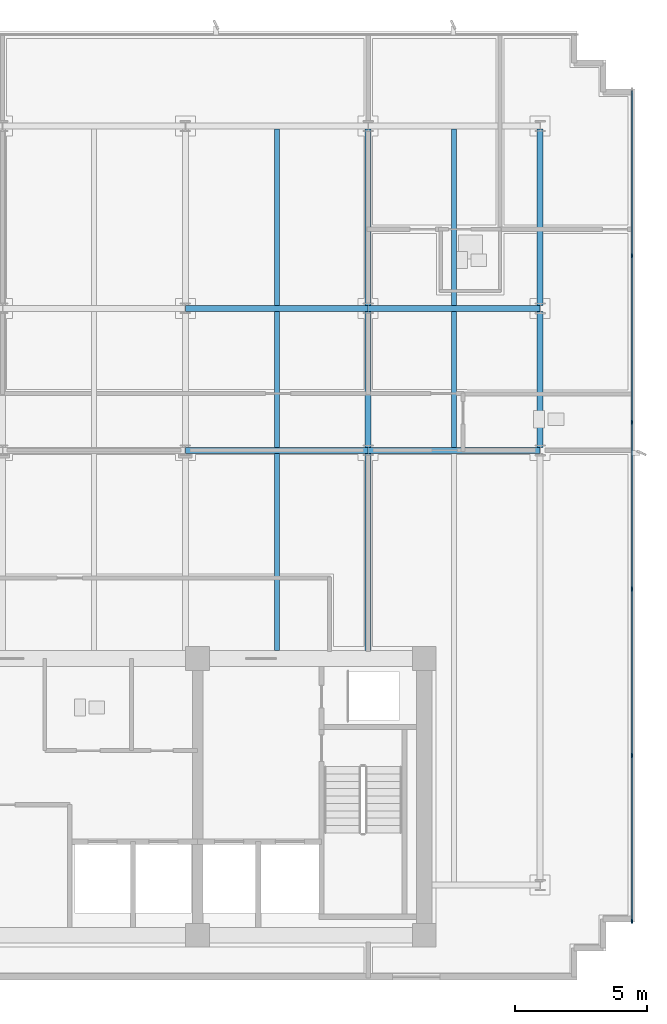
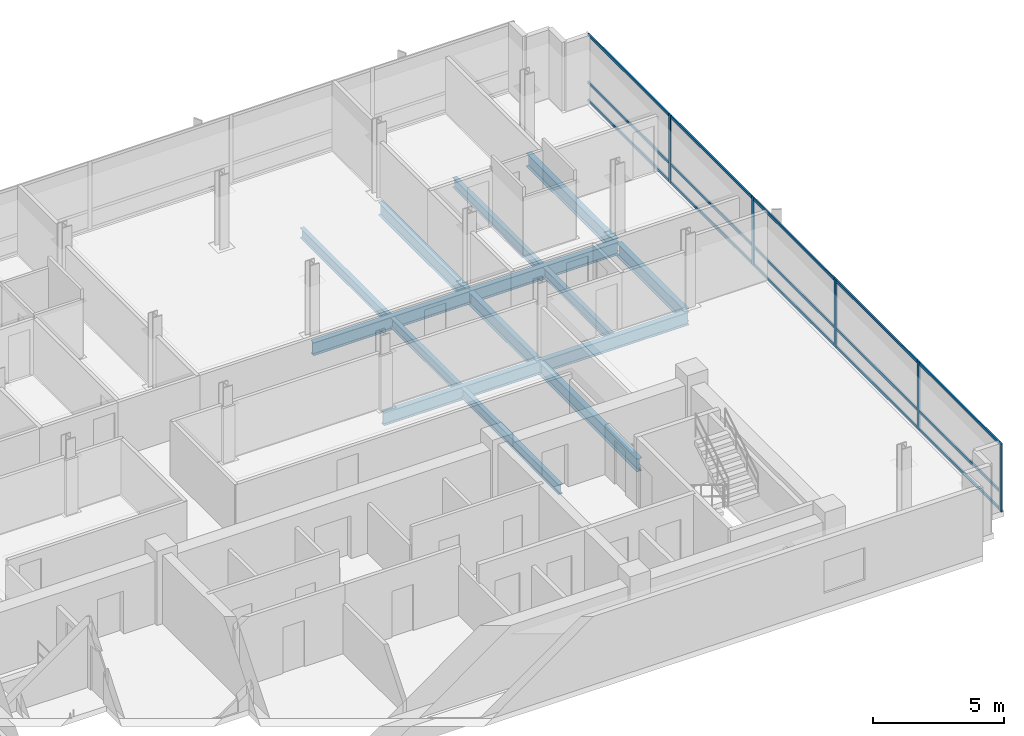
# One storey, part 6 of 18: 20 members, 14 beams, 1 element without a shape of its own.
"""IFC4 building model written with IfcOpenShell, lengths in metres."""

import ifcopenshell
import ifcopenshell.guid

model = None  # the IFC model being written
_history = None  # IfcOwnerHistory: only IFC2X3 demands one
_inside = {}  # id of a spatial element -> (the spatial element, [elements in it])
_under = {}  # id of a project, library or spatial element -> (it, [spatial elements below it])
_declared = {}  # id of a project -> (the project, [libraries it declares])
_typed = {}  # id of a type object -> (the type object, [elements of that type])
_made_of = {}  # id of a material, layer set ... -> (it, [elements and type objects made of it])


def new_model(schema):
    """Start an empty IFC model of exactly this schema.

    Asked for "IFC4X3", IfcOpenShell would pick the latest addendum, in which some entities
    have other attributes; the version numbers below select the first issue.
    IFC2X3 requires an IfcOwnerHistory on every rooted entity: one is made here for all.
    """
    global model, _history
    if schema == "IFC4X3":
        model = ifcopenshell.file(schema_version=(4, 3, 0, 0))
    else:
        model = ifcopenshell.file(schema=schema)
    _inside.clear()
    _under.clear()
    _declared.clear()
    _typed.clear()
    _made_of.clear()
    _history = None
    if model.schema == "IFC2X3":
        org = make("IfcOrganization", Name="unknown")
        user = make(
            "IfcPersonAndOrganization",
            ThePerson=make("IfcPerson", FamilyName="unknown"),
            TheOrganization=org,
        )
        app = make(
            "IfcApplication",
            ApplicationDeveloper=org,
            Version="unknown",
            ApplicationFullName="unknown",
            ApplicationIdentifier="unknown",
        )
        _history = make(
            "IfcOwnerHistory",
            OwningUser=user,
            OwningApplication=app,
            ChangeAction="ADDED",
            CreationDate=0,
        )
    return model


def make(cls, **values):
    """One entity of the class cls with the attributes given. An attribute that is None is left unset."""
    return model.create_entity(
        cls, **{name: value for name, value in values.items() if value is not None}
    )


def rooted(cls, **values):
    """An entity with a GlobalId (a new one), such as an element, a storey or a relation."""
    return make(cls, GlobalId=ifcopenshell.guid.new(), OwnerHistory=_history, **values)


def si_unit(unit_type, name, prefix=None):
    """IfcSIUnit, for example si_unit("LENGTHUNIT", "METRE", prefix="MILLI")."""
    return make("IfcSIUnit", UnitType=unit_type, Prefix=prefix, Name=name)


def assignment(units):
    """IfcUnitAssignment: the units of a project."""
    return None if units is None else make("IfcUnitAssignment", Units=units)


def point(xyz):
    """IfcCartesianPoint."""
    return None if xyz is None else make("IfcCartesianPoint", Coordinates=xyz)


def direction(xyz):
    """IfcDirection."""
    return None if xyz is None else make("IfcDirection", DirectionRatios=xyz)


def frame(location, z_axis=None, x_axis=None):
    """IfcAxis2Placement3D, a coordinate frame: its origin and axes. An axis left out is left unset."""
    return make(
        "IfcAxis2Placement3D",
        Location=point(location),
        Axis=direction(z_axis),
        RefDirection=direction(x_axis),
    )


def frame_2d(location, x_axis=None):
    """IfcAxis2Placement2D, a coordinate frame in the plane: its origin and x axis."""
    return make(
        "IfcAxis2Placement2D", Location=point(location), RefDirection=direction(x_axis)
    )


def origin():
    """The frame at (0, 0, 0) with its axes left unset."""
    return frame((0.0, 0.0, 0.0))


def origin_2d():
    """The frame at (0, 0) in the plane with its x axis left unset."""
    return frame_2d((0.0, 0.0))


def place(relative_to, where):
    """IfcLocalPlacement: puts the frame where relative to a parent placement (None: the world)."""
    return make(
        "IfcLocalPlacement", PlacementRelTo=relative_to, RelativePlacement=where
    )


def context(
    kind, dimensions, precision=None, world=None, true_north=None, identifier=None
):
    """IfcGeometricRepresentationContext, for example the 3D "Model" context."""
    return make(
        "IfcGeometricRepresentationContext",
        ContextIdentifier=identifier,
        ContextType=kind,
        CoordinateSpaceDimension=dimensions,
        Precision=precision,
        WorldCoordinateSystem=world,
        TrueNorth=true_north,
    )


def subcontext(parent, identifier, kind, view, scale=None):
    """IfcGeometricRepresentationSubContext, for example "Body" below "Model"."""
    return make(
        "IfcGeometricRepresentationSubContext",
        ContextIdentifier=identifier,
        ContextType=kind,
        ParentContext=parent,
        TargetScale=scale,
        TargetView=view,
    )


def project(units=None, contexts=None):
    """IfcProject with its units and contexts."""
    return rooted(
        "IfcProject",
        Name="project",
        RepresentationContexts=contexts,
        UnitsInContext=assignment(units),
    )


def spatial(cls, under=None, at=None, **own):
    """A site, building, storey or space (cls), placed at a placement, below another one or the project."""
    s = rooted(cls, ObjectPlacement=at, **own)
    if under is not None:
        _under.setdefault(under.id(), (under, []))[1].append(s)
    return s


def profile(cls, at=None, kind="AREA", **sizes):
    """A parametric profile (cls). Its sizes go by their IFC names, for example OverallWidth=200.0."""
    return make(cls, ProfileType=kind, Position=at, **sizes)


def rectangle(**sizes):
    """IfcRectangleProfileDef."""
    return profile("IfcRectangleProfileDef", **sizes)


def i_section(**sizes):
    """IfcIShapeProfileDef."""
    return profile("IfcIShapeProfileDef", **sizes)


def extrude(swept, where, along, depth):
    """IfcExtrudedAreaSolid: the profile swept, set in the frame where, extruded along a direction by depth."""
    return make(
        "IfcExtrudedAreaSolid",
        SweptArea=swept,
        Position=where,
        ExtrudedDirection=direction(along),
        Depth=depth,
    )


def shape(context_of_items, identifier, shape_type, items):
    """IfcShapeRepresentation: the items that make up one representation, for example the "Body"."""
    return make(
        "IfcShapeRepresentation",
        ContextOfItems=context_of_items,
        RepresentationIdentifier=identifier,
        RepresentationType=shape_type,
        Items=items,
    )


def material(Name=None, Category=None):
    """IfcMaterial."""
    return make("IfcMaterial", Name=Name, Category=Category)


def material_profile(
    of_material, cross_section, Name=None, Category=None, Priority=None
):
    """IfcMaterialProfile: a cross section and its material."""
    return make(
        "IfcMaterialProfile",
        Name=Name,
        Material=of_material,
        Profile=cross_section,
        Priority=Priority,
        Category=Category,
    )


def profile_set(profiles, Name=None, composite=None):
    """IfcMaterialProfileSet."""
    return make(
        "IfcMaterialProfileSet",
        Name=Name,
        MaterialProfiles=profiles,
        CompositeProfile=composite,
    )


def made_of(thing, what):
    """Note that an element or type object is made of a material, layer set ...; save() writes the relation."""
    if what is not None:
        _made_of.setdefault(what.id(), (what, []))[1].append(thing)
    return thing


def type_object(cls, material=None, **own):
    """A type object (cls), such as IfcWallType, which elements share."""
    return made_of(rooted(cls, **own), material)


def element(
    cls,
    number,
    at=None,
    inside=None,
    cuts=None,
    type_object=None,
    material=None,
    context=None,
    identifier="Body",
    shape_type=None,
    held_by="IfcProductDefinitionShape",
    body=None,
    shapes=None,
    **own,
):
    """One element of the class cls, such as IfcWall. Its Tag is "e" and its number.

    at: its placement. inside: the storey or other place that contains it. cuts: it is an
    opening in that element (IfcRelVoidsElement). A single representation is given by context,
    identifier, shape_type and body (its items); several are given by shapes. held_by: the class
    of the entity that holds the representations. save() writes the other relations.
    """
    e = rooted(cls, Tag="e%d" % number, ObjectPlacement=at, **own)
    if body is not None:
        shapes = [shape(context, identifier, shape_type, body)]
    if shapes is not None:
        e.Representation = make(held_by, Representations=shapes)
    if inside is not None:
        _inside.setdefault(inside.id(), (inside, []))[1].append(e)
    if cuts is not None:
        rooted(
            "IfcRelVoidsElement", RelatingBuildingElement=cuts, RelatedOpeningElement=e
        )
    if type_object is not None:
        _typed.setdefault(type_object.id(), (type_object, []))[1].append(e)
    return made_of(e, material)


def aggregate(whole, parts):
    """IfcRelAggregates: a whole, such as a stair, and the parts it consists of."""
    return rooted("IfcRelAggregates", RelatingObject=whole, RelatedObjects=parts)


def save(model, path):
    """Write the relations noted so far, then the file.

    IfcRelAggregates (storeys below a building ...), IfcRelContainedInSpatialStructure (elements
    in a storey), IfcRelDefinesByType, IfcRelAssociatesMaterial and IfcRelDeclares: one each for
    every whole, place, type object, material and project.
    """
    for whole, parts in _under.values():
        aggregate(whole, parts)
    for where, things in _inside.values():
        rooted(
            "IfcRelContainedInSpatialStructure",
            RelatedElements=things,
            RelatingStructure=where,
        )
    for kind, things in _typed.values():
        rooted("IfcRelDefinesByType", RelatedObjects=things, RelatingType=kind)
    for what, things in _made_of.values():
        rooted("IfcRelAssociatesMaterial", RelatedObjects=things, RelatingMaterial=what)
    for by, libraries in _declared.values():
        rooted("IfcRelDeclares", RelatingContext=by, RelatedDefinitions=libraries)
    model.write(path)


model = new_model("IFC4")

# Units and contexts
model_context = context("Model", 3, precision=1e-05, world=origin(), true_north=direction((0.0, 1.0)))
body_context = subcontext(model_context, "Body", "Model", "MODEL_VIEW")
ifc_project = project(units=[si_unit("LENGTHUNIT", "METRE"), si_unit("AREAUNIT", "SQUARE_METRE"), si_unit("VOLUMEUNIT", "CUBIC_METRE"), si_unit("PLANEANGLEUNIT", "RADIAN"), si_unit("MASSUNIT", "GRAM", prefix="KILO")], contexts=[model_context])

# Site, building, storey
site_placement = place(None, origin())
site = spatial("IfcSite", under=ifc_project, at=site_placement, CompositionType="ELEMENT")
building_placement = place(site_placement, origin())
building = spatial("IfcBuilding", under=site, at=building_placement, Name="Solmavex Isthmus Hotel", CompositionType="ELEMENT")
storey_placement = place(building_placement, frame((0.0, 0.0, 283.35009765625)))
storey = spatial("IfcBuildingStorey", under=building, at=storey_placement, Name="L77", CompositionType="ELEMENT", Elevation=283.35009765625)

# Beams
ifc_material_1 = material(Name="Steel ASTM A992 Grade 50", Category="steel")
ifc_material_profile_1 = material_profile(ifc_material_1, i_section(OverallWidth=0.1904296875, OverallDepth=0.456787109375, WebThickness=0.009033203125, FlangeThickness=0.014404296875, FilletRadius=0.0126953125, at=origin_2d()), Name="W18X50")
ifc_profile_set_1 = profile_set([ifc_material_profile_1], Name="Steel ASTM A992 Grade 50")
beam_type_1 = type_object("IfcBeamType", Name="BM-BJ-W18X50", PredefinedType="JOIST", material=ifc_profile_set_1)
beam_1_placement = place(storey_placement, frame((10.404052734375, -2.199951171875, -0.488525390625), z_axis=(0.0, 1.0, 0.0), x_axis=(-1.0, 0.0, 0.0)))
element("IfcBeam", 1, at=beam_1_placement, inside=storey, type_object=beam_type_1, Name="Secondary Floor Joist L77-J13", PredefinedType="JOIST", context=body_context, shape_type="SweptSolid", body=[
    extrude(i_section(OverallWidth=0.1904296875, OverallDepth=0.456787109375, WebThickness=0.009033203125, FlangeThickness=0.014404296875, FilletRadius=0.0126953125, at=origin_2d()), origin(), (0.0, 0.0, 1.0), 7.486083984375),
])
beam_2_placement = place(storey_placement, frame((10.404052734375, 5.513916015625, -0.488525390625), z_axis=(0.0, 1.0, 0.0), x_axis=(-1.0, 0.0, 0.0)))
element("IfcBeam", 2, at=beam_2_placement, inside=storey, type_object=beam_type_1, Name="Secondary Floor Joist L77-J14", PredefinedType="JOIST", context=body_context, shape_type="SweptSolid", body=[
    extrude(i_section(OverallWidth=0.1904296875, OverallDepth=0.456787109375, WebThickness=0.009033203125, FlangeThickness=0.014404296875, FilletRadius=0.0126953125, at=origin_2d()), origin(), (0.0, 0.0, 1.0), 5.16015625),
])
beam_3_placement = place(storey_placement, frame((10.404052734375, 10.90185546875, -0.488525390625), z_axis=(0.0, 1.0, 0.0), x_axis=(-1.0, 0.0, 0.0)))
element("IfcBeam", 3, at=beam_3_placement, inside=storey, type_object=beam_type_1, Name="Secondary Floor Joist L77-J15", PredefinedType="JOIST", context=body_context, shape_type="SweptSolid", body=[
    extrude(i_section(OverallWidth=0.1904296875, OverallDepth=0.456787109375, WebThickness=0.009033203125, FlangeThickness=0.014404296875, FilletRadius=0.0126953125, at=origin_2d()), origin(), (0.0, 0.0, 1.0), 6.682861328125),
])
beam_4_placement = place(storey_placement, frame((17.135986328125, 5.513916015625, -0.488525390625), z_axis=(0.0, 1.0, 0.0), x_axis=(-1.0, 0.0, 0.0)))
element("IfcBeam", 4, at=beam_4_placement, inside=storey, type_object=beam_type_1, Name="Secondary Floor Joist L77-J17", PredefinedType="JOIST", context=body_context, shape_type="SweptSolid", body=[
    extrude(i_section(OverallWidth=0.1904296875, OverallDepth=0.456787109375, WebThickness=0.009033203125, FlangeThickness=0.014404296875, FilletRadius=0.0126953125, at=origin_2d()), origin(), (0.0, 0.0, 1.0), 5.16015625),
])
beam_5_placement = place(storey_placement, frame((17.135986328125, 10.90185546875, -0.488525390625), z_axis=(0.0, 1.0, 0.0), x_axis=(-1.0, 0.0, 0.0)))
element("IfcBeam", 5, at=beam_5_placement, inside=storey, type_object=beam_type_1, Name="Secondary Floor Joist L77-J18", PredefinedType="JOIST", context=body_context, shape_type="SweptSolid", body=[
    extrude(i_section(OverallWidth=0.1904296875, OverallDepth=0.456787109375, WebThickness=0.009033203125, FlangeThickness=0.014404296875, FilletRadius=0.0126953125, at=origin_2d()), origin(), (0.0, 0.0, 1.0), 6.682861328125),
])
ifc_material_profile_2 = material_profile(ifc_material_1, i_section(OverallWidth=0.227783203125, OverallDepth=0.602783203125, WebThickness=0.010498046875, FlangeThickness=0.014892578125, FilletRadius=0.01513671875, at=origin_2d()), Name="W24X68")
ifc_profile_set_2 = profile_set([ifc_material_profile_2], Name="Steel ASTM A992 Grade 50")
beam_type_2 = type_object("IfcBeamType", Name="BM-BM-W24X68", PredefinedType="BEAM", material=ifc_profile_set_2)
beam_6_placement = place(storey_placement, frame((6.93603515625, 5.39990234375, -0.5615234375), z_axis=(1.0, 0.0, 0.0), x_axis=(0.0, 1.0, 0.0)))
element("IfcBeam", 6, at=beam_6_placement, inside=storey, type_object=beam_type_2, Name="Floor Girder L77-UG07", PredefinedType="BEAM", context=body_context, shape_type="SweptSolid", body=[
    extrude(i_section(OverallWidth=0.227783203125, OverallDepth=0.602783203125, WebThickness=0.010498046875, FlangeThickness=0.014892578125, FilletRadius=0.01513671875, at=origin_2d()), origin(), (0.0, 0.0, 1.0), 6.93603515625),
])
beam_7_placement = place(storey_placement, frame((13.8720703125, 5.39990234375, -0.5615234375), z_axis=(1.0, 0.0, 0.0), x_axis=(0.0, 1.0, 0.0)))
element("IfcBeam", 7, at=beam_7_placement, inside=storey, type_object=beam_type_2, Name="Floor Girder L77-UG08", PredefinedType="BEAM", context=body_context, shape_type="SweptSolid", body=[
    extrude(i_section(OverallWidth=0.227783203125, OverallDepth=0.602783203125, WebThickness=0.010498046875, FlangeThickness=0.014892578125, FilletRadius=0.01513671875, at=origin_2d()), origin(), (0.0, 0.0, 1.0), 6.52783203125),
])
beam_8_placement = place(storey_placement, frame((6.93603515625, 10.7880859375, -0.5615234375), z_axis=(1.0, 0.0, 0.0), x_axis=(0.0, 1.0, 0.0)))
element("IfcBeam", 8, at=beam_8_placement, inside=storey, type_object=beam_type_2, Name="Floor Girder L77-UG13", PredefinedType="BEAM", context=body_context, shape_type="SweptSolid", body=[
    extrude(i_section(OverallWidth=0.227783203125, OverallDepth=0.602783203125, WebThickness=0.010498046875, FlangeThickness=0.014892578125, FilletRadius=0.01513671875, at=origin_2d()), origin(), (0.0, 0.0, 1.0), 6.93603515625),
])
beam_9_placement = place(storey_placement, frame((13.8720703125, 10.7880859375, -0.5615234375), z_axis=(1.0, 0.0, 0.0), x_axis=(0.0, 1.0, 0.0)))
element("IfcBeam", 9, at=beam_9_placement, inside=storey, type_object=beam_type_2, Name="Floor Girder L77-UG14", PredefinedType="BEAM", context=body_context, shape_type="SweptSolid", body=[
    extrude(i_section(OverallWidth=0.227783203125, OverallDepth=0.602783203125, WebThickness=0.010498046875, FlangeThickness=0.014892578125, FilletRadius=0.01513671875, at=origin_2d()), origin(), (0.0, 0.0, 1.0), 6.52783203125),
])
beam_10_placement = place(storey_placement, frame((13.8720703125, -2.199951171875, -0.5615234375), z_axis=(0.0, 1.0, 0.0), x_axis=(-1.0, 0.0, 0.0)))
element("IfcBeam", 10, at=beam_10_placement, inside=storey, type_object=beam_type_2, Name="Floor Beam L77-VG36", PredefinedType="BEAM", context=body_context, shape_type="SweptSolid", body=[
    extrude(i_section(OverallWidth=0.227783203125, OverallDepth=0.602783203125, WebThickness=0.010498046875, FlangeThickness=0.014892578125, FilletRadius=0.01513671875, at=origin_2d()), origin(), (0.0, 0.0, 1.0), 7.486083984375),
])
beam_11_placement = place(storey_placement, frame((13.8720703125, 5.513916015625, -0.5615234375), z_axis=(0.0, 1.0, 0.0), x_axis=(-1.0, 0.0, 0.0)))
element("IfcBeam", 11, at=beam_11_placement, inside=storey, type_object=beam_type_2, Name="Floor Beam L77-VG37", PredefinedType="BEAM", context=body_context, shape_type="SweptSolid", body=[
    extrude(i_section(OverallWidth=0.227783203125, OverallDepth=0.602783203125, WebThickness=0.010498046875, FlangeThickness=0.014892578125, FilletRadius=0.01513671875, at=origin_2d()), origin(), (0.0, 0.0, 1.0), 5.16015625),
])
beam_12_placement = place(storey_placement, frame((13.8720703125, 10.90185546875, -0.5615234375), z_axis=(0.0, 1.0, 0.0), x_axis=(-1.0, 0.0, 0.0)))
element("IfcBeam", 12, at=beam_12_placement, inside=storey, type_object=beam_type_2, Name="Floor Beam L77-VG38", PredefinedType="BEAM", context=body_context, shape_type="SweptSolid", body=[
    extrude(i_section(OverallWidth=0.227783203125, OverallDepth=0.602783203125, WebThickness=0.010498046875, FlangeThickness=0.014892578125, FilletRadius=0.01513671875, at=origin_2d()), origin(), (0.0, 0.0, 1.0), 6.682861328125),
])
ifc_material_profile_3 = material_profile(ifc_material_1, i_section(OverallWidth=0.230224609375, OverallDepth=0.617431640625, WebThickness=0.01318359375, FlangeThickness=0.022216796875, FilletRadius=0.01513671875, at=origin_2d()), Name="W24X94")
ifc_profile_set_3 = profile_set([ifc_material_profile_3], Name="Steel ASTM A992 Grade 50")
beam_type_3 = type_object("IfcBeamType", Name="BM-SP-W24X94", PredefinedType="SPANDREL", material=ifc_profile_set_3)
beam_13_placement = place(storey_placement, frame((20.39990234375, 5.513916015625, -0.56884765625), z_axis=(0.0, 1.0, 0.0), x_axis=(-1.0, 0.0, 0.0)))
element("IfcBeam", 13, at=beam_13_placement, inside=storey, type_object=beam_type_3, Name="Floor Beam L77-VG40", PredefinedType="SPANDREL", context=body_context, shape_type="SweptSolid", body=[
    extrude(i_section(OverallWidth=0.230224609375, OverallDepth=0.617431640625, WebThickness=0.01318359375, FlangeThickness=0.022216796875, FilletRadius=0.01513671875, at=origin_2d()), origin(), (0.0, 0.0, 1.0), 5.16015625),
])
beam_14_placement = place(storey_placement, frame((20.39990234375, 10.90185546875, -0.56884765625), z_axis=(0.0, 1.0, 0.0), x_axis=(-1.0, 0.0, 0.0)))
element("IfcBeam", 14, at=beam_14_placement, inside=storey, type_object=beam_type_3, Name="Floor Beam L77-VG41", PredefinedType="SPANDREL", context=body_context, shape_type="SweptSolid", body=[
    extrude(i_section(OverallWidth=0.230224609375, OverallDepth=0.617431640625, WebThickness=0.01318359375, FlangeThickness=0.022216796875, FilletRadius=0.01513671875, at=origin_2d()), origin(), (0.0, 0.0, 1.0), 6.682861328125),
])

# Curtain wall, members
ifc_material_2 = material(Name="Aluminium alloy 6063-T6", Category="aluminium")
curtain_wall_type = type_object("IfcCurtainWallType", Name="CW-SYS-05", PredefinedType="NOTDEFINED", material=ifc_material_2)
curtain_wall_placement = place(storey_placement, origin())
curtain_wall = element("IfcCurtainWall", 15, at=curtain_wall_placement, inside=storey, type_object=curtain_wall_type, Name="Stick Curtain Wall CWL-L77-E1", PredefinedType="NOTDEFINED")
ifc_material_profile_4 = material_profile(ifc_material_2, rectangle(XDim=0.06494140625, YDim=0.159912109375, at=origin_2d()), Name="CWM-65X160")
ifc_profile_set_4 = profile_set([ifc_material_profile_4], Name="Aluminium alloy 6063-T6")
member_type_1 = type_object("IfcMemberType", Name="CW-SYS-05-MUL", PredefinedType="MULLION", material=ifc_profile_set_4)
member_1_placement = place(storey_placement, frame((23.8798828125, -12.467529296875, 0.0), z_axis=(0.0, 0.0, 1.0), x_axis=(-1.0, 0.0, 0.0)))
member_1 = element("IfcMember", 16, at=member_1_placement, type_object=member_type_1, Name="CW-05 mullion 1", PredefinedType="MULLION", context=body_context, shape_type="SweptSolid", body=[
    extrude(rectangle(XDim=0.06494140625, YDim=0.159912109375, at=origin_2d()), origin(), (0.0, 0.0, 1.0), 3.18994140625),
])
member_2_placement = place(storey_placement, frame((23.8798828125, -6.179931640625, 0.0), z_axis=(0.0, 0.0, 1.0), x_axis=(-1.0, 0.0, 0.0)))
member_2 = element("IfcMember", 17, at=member_2_placement, type_object=member_type_1, Name="CW-05 mullion 2", PredefinedType="MULLION", context=body_context, shape_type="SweptSolid", body=[
    extrude(rectangle(XDim=0.06494140625, YDim=0.159912109375, at=origin_2d()), origin(), (0.0, 0.0, 1.0), 3.18994140625),
])
member_3_placement = place(storey_placement, frame((23.8798828125, 0.139892578125, 0.0), z_axis=(0.0, 0.0, 1.0), x_axis=(-1.0, 0.0, 0.0)))
member_3 = element("IfcMember", 18, at=member_3_placement, type_object=member_type_1, Name="CW-05 mullion 3", PredefinedType="MULLION", context=body_context, shape_type="SweptSolid", body=[
    extrude(rectangle(XDim=0.06494140625, YDim=0.159912109375, at=origin_2d()), origin(), (0.0, 0.0, 1.0), 3.18994140625),
])
member_4_placement = place(storey_placement, frame((23.8798828125, 6.4599609375, 0.0), z_axis=(0.0, 0.0, 1.0), x_axis=(-1.0, 0.0, 0.0)))
member_4 = element("IfcMember", 19, at=member_4_placement, type_object=member_type_1, Name="CW-05 mullion 4", PredefinedType="MULLION", context=body_context, shape_type="SweptSolid", body=[
    extrude(rectangle(XDim=0.06494140625, YDim=0.159912109375, at=origin_2d()), origin(), (0.0, 0.0, 1.0), 3.18994140625),
])
member_5_placement = place(storey_placement, frame((23.8798828125, 12.780029296875, 0.0), z_axis=(0.0, 0.0, 1.0), x_axis=(-1.0, 0.0, 0.0)))
member_5 = element("IfcMember", 20, at=member_5_placement, type_object=member_type_1, Name="CW-05 mullion 5", PredefinedType="MULLION", context=body_context, shape_type="SweptSolid", body=[
    extrude(rectangle(XDim=0.06494140625, YDim=0.159912109375, at=origin_2d()), origin(), (0.0, 0.0, 1.0), 3.18994140625),
])
ifc_material_profile_5 = material_profile(ifc_material_2, rectangle(XDim=0.06494140625, YDim=0.125, at=origin_2d()), Name="CWT-65X125")
ifc_profile_set_5 = profile_set([ifc_material_profile_5], Name="Aluminium alloy 6063-T6")
member_type_2 = type_object("IfcMemberType", Name="CW-SYS-05-TRN", PredefinedType="USERDEFINED", material=ifc_profile_set_5)
member_6_placement = place(storey_placement, frame((23.8798828125, -12.43505859375, 0.0625), z_axis=(0.0, 1.0, 0.0), x_axis=(-1.0, 0.0, 0.0)))
member_6 = element("IfcMember", 21, at=member_6_placement, type_object=member_type_2, Name="CW-05 transom 1.1", ObjectType="TRANSOM", PredefinedType="USERDEFINED", context=body_context, shape_type="SweptSolid", body=[
    extrude(rectangle(XDim=0.06494140625, YDim=0.125, at=origin_2d()), origin(), (0.0, 0.0, 1.0), 6.22265625),
])
member_7_placement = place(storey_placement, frame((23.8798828125, -12.43505859375, 0.89990234375), z_axis=(0.0, 1.0, 0.0), x_axis=(-1.0, 0.0, 0.0)))
member_7 = element("IfcMember", 22, at=member_7_placement, type_object=member_type_2, Name="CW-05 transom 1.2", ObjectType="TRANSOM", PredefinedType="USERDEFINED", context=body_context, shape_type="SweptSolid", body=[
    extrude(rectangle(XDim=0.06494140625, YDim=0.125, at=origin_2d()), origin(), (0.0, 0.0, 1.0), 6.22265625),
])
member_8_placement = place(storey_placement, frame((23.8798828125, -12.43505859375, 3.12744140625), z_axis=(0.0, 1.0, 0.0), x_axis=(-1.0, 0.0, 0.0)))
member_8 = element("IfcMember", 23, at=member_8_placement, type_object=member_type_2, Name="CW-05 transom 1.3", ObjectType="TRANSOM", PredefinedType="USERDEFINED", context=body_context, shape_type="SweptSolid", body=[
    extrude(rectangle(XDim=0.06494140625, YDim=0.125, at=origin_2d()), origin(), (0.0, 0.0, 1.0), 6.22265625),
])
member_9_placement = place(storey_placement, frame((23.8798828125, -6.1474609375, 0.0625), z_axis=(0.0, 1.0, 0.0), x_axis=(-1.0, 0.0, 0.0)))
member_9 = element("IfcMember", 24, at=member_9_placement, type_object=member_type_2, Name="CW-05 transom 2.1", ObjectType="TRANSOM", PredefinedType="USERDEFINED", context=body_context, shape_type="SweptSolid", body=[
    extrude(rectangle(XDim=0.06494140625, YDim=0.125, at=origin_2d()), origin(), (0.0, 0.0, 1.0), 6.2548828125),
])
member_10_placement = place(storey_placement, frame((23.8798828125, -6.1474609375, 0.89990234375), z_axis=(0.0, 1.0, 0.0), x_axis=(-1.0, 0.0, 0.0)))
member_10 = element("IfcMember", 25, at=member_10_placement, type_object=member_type_2, Name="CW-05 transom 2.2", ObjectType="TRANSOM", PredefinedType="USERDEFINED", context=body_context, shape_type="SweptSolid", body=[
    extrude(rectangle(XDim=0.06494140625, YDim=0.125, at=origin_2d()), origin(), (0.0, 0.0, 1.0), 6.2548828125),
])
member_11_placement = place(storey_placement, frame((23.8798828125, -6.1474609375, 3.12744140625), z_axis=(0.0, 1.0, 0.0), x_axis=(-1.0, 0.0, 0.0)))
member_11 = element("IfcMember", 26, at=member_11_placement, type_object=member_type_2, Name="CW-05 transom 2.3", ObjectType="TRANSOM", PredefinedType="USERDEFINED", context=body_context, shape_type="SweptSolid", body=[
    extrude(rectangle(XDim=0.06494140625, YDim=0.125, at=origin_2d()), origin(), (0.0, 0.0, 1.0), 6.2548828125),
])
member_12_placement = place(storey_placement, frame((23.8798828125, 0.172607421875, 0.0625), z_axis=(0.0, 1.0, 0.0), x_axis=(-1.0, 0.0, 0.0)))
member_12 = element("IfcMember", 27, at=member_12_placement, type_object=member_type_2, Name="CW-05 transom 3.1", ObjectType="TRANSOM", PredefinedType="USERDEFINED", context=body_context, shape_type="SweptSolid", body=[
    extrude(rectangle(XDim=0.06494140625, YDim=0.125, at=origin_2d()), origin(), (0.0, 0.0, 1.0), 6.2548828125),
])
member_13_placement = place(storey_placement, frame((23.8798828125, 0.172607421875, 0.89990234375), z_axis=(0.0, 1.0, 0.0), x_axis=(-1.0, 0.0, 0.0)))
member_13 = element("IfcMember", 28, at=member_13_placement, type_object=member_type_2, Name="CW-05 transom 3.2", ObjectType="TRANSOM", PredefinedType="USERDEFINED", context=body_context, shape_type="SweptSolid", body=[
    extrude(rectangle(XDim=0.06494140625, YDim=0.125, at=origin_2d()), origin(), (0.0, 0.0, 1.0), 6.2548828125),
])
member_14_placement = place(storey_placement, frame((23.8798828125, 0.172607421875, 3.12744140625), z_axis=(0.0, 1.0, 0.0), x_axis=(-1.0, 0.0, 0.0)))
member_14 = element("IfcMember", 29, at=member_14_placement, type_object=member_type_2, Name="CW-05 transom 3.3", ObjectType="TRANSOM", PredefinedType="USERDEFINED", context=body_context, shape_type="SweptSolid", body=[
    extrude(rectangle(XDim=0.06494140625, YDim=0.125, at=origin_2d()), origin(), (0.0, 0.0, 1.0), 6.2548828125),
])
member_15_placement = place(storey_placement, frame((23.8798828125, 6.492431640625, 0.0625), z_axis=(0.0, 1.0, 0.0), x_axis=(-1.0, 0.0, 0.0)))
member_15 = element("IfcMember", 30, at=member_15_placement, type_object=member_type_2, Name="CW-05 transom 4.1", ObjectType="TRANSOM", PredefinedType="USERDEFINED", context=body_context, shape_type="SweptSolid", body=[
    extrude(rectangle(XDim=0.06494140625, YDim=0.125, at=origin_2d()), origin(), (0.0, 0.0, 1.0), 6.255126953125),
])
member_16_placement = place(storey_placement, frame((23.8798828125, 6.492431640625, 0.89990234375), z_axis=(0.0, 1.0, 0.0), x_axis=(-1.0, 0.0, 0.0)))
member_16 = element("IfcMember", 31, at=member_16_placement, type_object=member_type_2, Name="CW-05 transom 4.2", ObjectType="TRANSOM", PredefinedType="USERDEFINED", context=body_context, shape_type="SweptSolid", body=[
    extrude(rectangle(XDim=0.06494140625, YDim=0.125, at=origin_2d()), origin(), (0.0, 0.0, 1.0), 6.255126953125),
])
member_17_placement = place(storey_placement, frame((23.8798828125, 6.492431640625, 3.12744140625), z_axis=(0.0, 1.0, 0.0), x_axis=(-1.0, 0.0, 0.0)))
member_17 = element("IfcMember", 32, at=member_17_placement, type_object=member_type_2, Name="CW-05 transom 4.3", ObjectType="TRANSOM", PredefinedType="USERDEFINED", context=body_context, shape_type="SweptSolid", body=[
    extrude(rectangle(XDim=0.06494140625, YDim=0.125, at=origin_2d()), origin(), (0.0, 0.0, 1.0), 6.255126953125),
])
member_18_placement = place(storey_placement, frame((23.8798828125, 12.8125, 0.0625), z_axis=(0.0, 1.0, 0.0), x_axis=(-1.0, 0.0, 0.0)))
member_18 = element("IfcMember", 33, at=member_18_placement, type_object=member_type_2, Name="CW-05 transom 5.1", ObjectType="TRANSOM", PredefinedType="USERDEFINED", context=body_context, shape_type="SweptSolid", body=[
    extrude(rectangle(XDim=0.06494140625, YDim=0.125, at=origin_2d()), origin(), (0.0, 0.0, 1.0), 6.222412109375),
])
member_19_placement = place(storey_placement, frame((23.8798828125, 12.8125, 0.89990234375), z_axis=(0.0, 1.0, 0.0), x_axis=(-1.0, 0.0, 0.0)))
member_19 = element("IfcMember", 34, at=member_19_placement, type_object=member_type_2, Name="CW-05 transom 5.2", ObjectType="TRANSOM", PredefinedType="USERDEFINED", context=body_context, shape_type="SweptSolid", body=[
    extrude(rectangle(XDim=0.06494140625, YDim=0.125, at=origin_2d()), origin(), (0.0, 0.0, 1.0), 6.222412109375),
])
member_20_placement = place(storey_placement, frame((23.8798828125, 12.8125, 3.12744140625), z_axis=(0.0, 1.0, 0.0), x_axis=(-1.0, 0.0, 0.0)))
member_20 = element("IfcMember", 35, at=member_20_placement, type_object=member_type_2, Name="CW-05 transom 5.3", ObjectType="TRANSOM", PredefinedType="USERDEFINED", context=body_context, shape_type="SweptSolid", body=[
    extrude(rectangle(XDim=0.06494140625, YDim=0.125, at=origin_2d()), origin(), (0.0, 0.0, 1.0), 6.222412109375),
])
aggregate(curtain_wall, [member_1, member_2, member_3, member_4, member_5, member_6, member_7, member_8, member_9, member_10, member_11, member_12, member_13, member_14, member_15, member_16, member_17, member_18, member_19, member_20])

save(model, "model.ifc")
